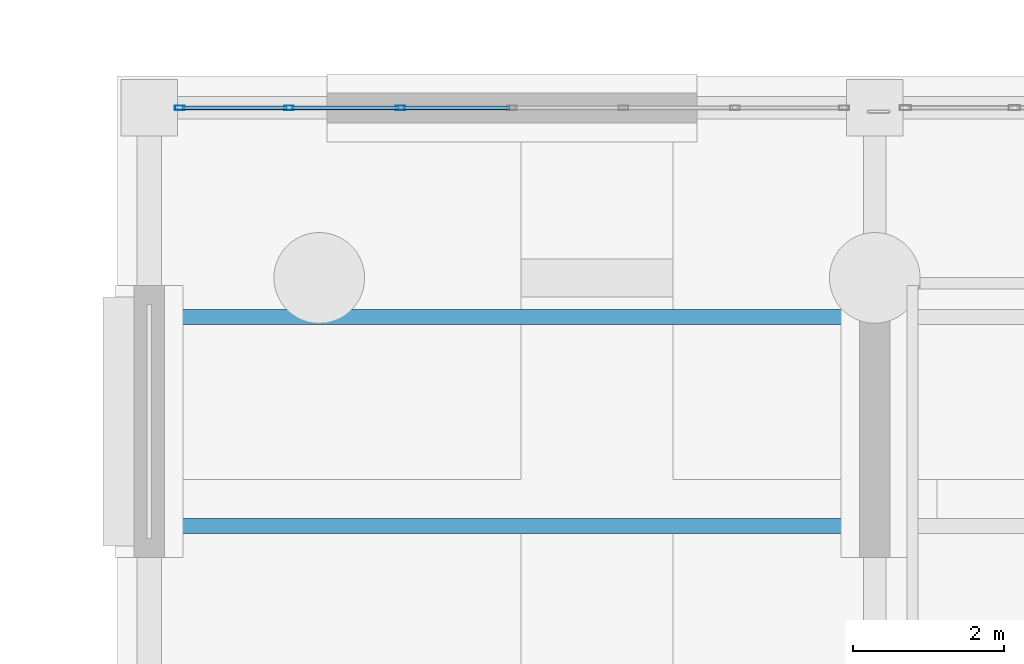
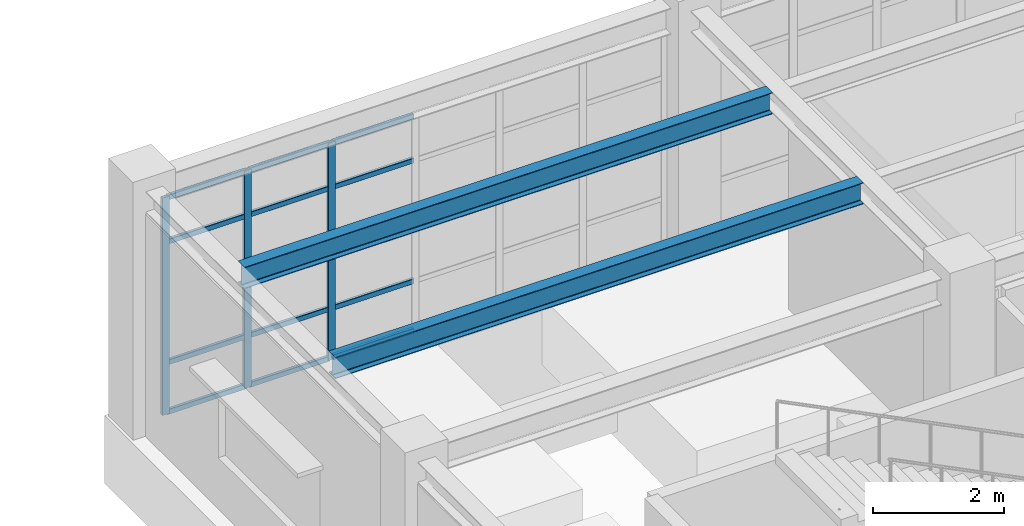
# One storey, part 48 of 111: 15 members, 2 beams, 1 element without a shape of its own.
"""IFC4 building model written with IfcOpenShell, lengths in metres."""

from ifc_helpers import new_model, si_unit, direction, frame, origin, origin_2d, place, context, subcontext, project, spatial, hollow_rectangle, i_section, extrude, material, material_profile, profile_set, type_object, element, aggregate, save


model = new_model("IFC4")

# Units and contexts
model_context = context("Model", 3, precision=1e-05, world=origin(), true_north=direction((0.0, 1.0)))
body_context = subcontext(model_context, "Body", "Model", "MODEL_VIEW")
ifc_project = project(units=[si_unit("LENGTHUNIT", "METRE"), si_unit("AREAUNIT", "SQUARE_METRE"), si_unit("VOLUMEUNIT", "CUBIC_METRE"), si_unit("PLANEANGLEUNIT", "RADIAN"), si_unit("MASSUNIT", "GRAM", prefix="KILO")], contexts=[model_context])

# Site, building, storey
site_placement = place(None, origin())
site = spatial("IfcSite", under=ifc_project, at=site_placement, CompositionType="ELEMENT")
building_placement = place(site_placement, origin())
building = spatial("IfcBuilding", under=site, at=building_placement, Name="Canglan Escarpment Cableway Terminal", CompositionType="ELEMENT")
storey_placement = place(building_placement, frame((0.0, 0.0, 4.800048828125)))
storey = spatial("IfcBuildingStorey", under=building, at=storey_placement, Name="L01", CompositionType="ELEMENT", Elevation=4.800048828125)

# Curtain wall, members
ifc_material_1 = material(Name="Anodized bronze aluminium and Low-E double glazing", Category="aluminium")
curtain_wall_type = type_object("IfcCurtainWallType", Name="CW-BAY-8850x4050", PredefinedType="NOTDEFINED", material=ifc_material_1)
curtain_wall_placement = place(storey_placement, origin())
curtain_wall = element("IfcCurtainWall", 1, at=curtain_wall_placement, inside=storey, type_object=curtain_wall_type, Name="Classical bay-between-piers glazed curtain wall CW-25", PredefinedType="NOTDEFINED")
ifc_material_2 = material(Name="Thermally broken anodized aluminium 6063-T6", Category="aluminium")
ifc_material_profile_1 = material_profile(ifc_material_2, hollow_rectangle(XDim=0.06005859375, YDim=0.1298828125, WallThickness=0.0029296875, InnerFilletRadius=0.0029296875, OuterFilletRadius=0.006103515625, at=origin_2d()), Name="ALU-MULL 60x130x3")
ifc_profile_set_1 = profile_set([ifc_material_profile_1], Name="Thermally broken anodized aluminium 6063-T6")
member_type_1 = type_object("IfcMemberType", Name="CWM-01", PredefinedType="MULLION", material=ifc_profile_set_1)
member_1_placement = place(storey_placement, frame((150.52490234375, 33.10009765625, 0.0), z_axis=(0.0, 0.0, 1.0), x_axis=(0.0, -1.0, 0.0)))
member_1 = element("IfcMember", 2, at=member_1_placement, type_object=member_type_1, Name="CW-25 mullion 5", PredefinedType="MULLION", context=body_context, shape_type="SweptSolid", body=[
    extrude(hollow_rectangle(XDim=0.06005859375, YDim=0.1298828125, WallThickness=0.0029296875, InnerFilletRadius=0.0029296875, OuterFilletRadius=0.006103515625, at=origin_2d()), origin(), (0.0, 0.0, 1.0), 4.046875),
])
member_2_placement = place(storey_placement, frame((149.050048828125, 33.10009765625, 0.0), z_axis=(0.0, 0.0, 1.0), x_axis=(0.0, -1.0, 0.0)))
member_2 = element("IfcMember", 3, at=member_2_placement, type_object=member_type_1, Name="CW-25 mullion 6", PredefinedType="MULLION", context=body_context, shape_type="SweptSolid", body=[
    extrude(hollow_rectangle(XDim=0.06005859375, YDim=0.1298828125, WallThickness=0.0029296875, InnerFilletRadius=0.0029296875, OuterFilletRadius=0.006103515625, at=origin_2d()), origin(), (0.0, 0.0, 1.0), 4.046875),
])
member_3_placement = place(storey_placement, frame((147.60498046875, 33.10009765625, 0.0), z_axis=(0.0, 0.0, 1.0), x_axis=(0.0, -1.0, 0.0)))
member_3 = element("IfcMember", 4, at=member_3_placement, type_object=member_type_1, Name="CW-25 mullion 7", PredefinedType="MULLION", context=body_context, shape_type="SweptSolid", body=[
    extrude(hollow_rectangle(XDim=0.06005859375, YDim=0.1298828125, WallThickness=0.0029296875, InnerFilletRadius=0.0029296875, OuterFilletRadius=0.006103515625, at=origin_2d()), origin(), (0.0, 0.0, 1.0), 4.046875),
])
ifc_material_profile_2 = material_profile(ifc_material_2, hollow_rectangle(XDim=0.054931640625, YDim=0.094970703125, WallThickness=0.0029296875, InnerFilletRadius=0.0029296875, OuterFilletRadius=0.006103515625, at=origin_2d()), Name="ALU-TRAN 55x95x3")
ifc_profile_set_2 = profile_set([ifc_material_profile_2], Name="Thermally broken anodized aluminium 6063-T6")
member_type_2 = type_object("IfcMemberType", Name="CWT-01", PredefinedType="USERDEFINED", material=ifc_profile_set_2)
member_4_placement = place(storey_placement, frame((151.969970703125, 33.10009765625, 0.02734375), z_axis=(-1.0, 0.0, 0.0), x_axis=(0.0, -1.0, 0.0)))
member_4 = element("IfcMember", 5, at=member_4_placement, type_object=member_type_2, Name="CW-25 transom 4.1", ObjectType="TRANSOM", PredefinedType="USERDEFINED", context=body_context, shape_type="SweptSolid", body=[
    extrude(hollow_rectangle(XDim=0.054931640625, YDim=0.094970703125, WallThickness=0.0029296875, InnerFilletRadius=0.0029296875, OuterFilletRadius=0.006103515625, at=origin_2d()), origin(), (0.0, 0.0, 1.0), 1.4150390625),
])
member_5_placement = place(storey_placement, frame((151.969970703125, 33.10009765625, 0.949951171875), z_axis=(-1.0, 0.0, 0.0), x_axis=(0.0, -1.0, 0.0)))
member_5 = element("IfcMember", 6, at=member_5_placement, type_object=member_type_2, Name="CW-25 transom 4.2", ObjectType="TRANSOM", PredefinedType="USERDEFINED", context=body_context, shape_type="SweptSolid", body=[
    extrude(hollow_rectangle(XDim=0.054931640625, YDim=0.094970703125, WallThickness=0.0029296875, InnerFilletRadius=0.0029296875, OuterFilletRadius=0.006103515625, at=origin_2d()), origin(), (0.0, 0.0, 1.0), 1.4150390625),
])
member_6_placement = place(storey_placement, frame((151.969970703125, 33.10009765625, 3.197021484375), z_axis=(-1.0, 0.0, 0.0), x_axis=(0.0, -1.0, 0.0)))
member_6 = element("IfcMember", 7, at=member_6_placement, type_object=member_type_2, Name="CW-25 transom 4.3", ObjectType="TRANSOM", PredefinedType="USERDEFINED", context=body_context, shape_type="SweptSolid", body=[
    extrude(hollow_rectangle(XDim=0.054931640625, YDim=0.094970703125, WallThickness=0.0029296875, InnerFilletRadius=0.0029296875, OuterFilletRadius=0.006103515625, at=origin_2d()), origin(), (0.0, 0.0, 1.0), 1.4150390625),
])
member_7_placement = place(storey_placement, frame((151.969970703125, 33.10009765625, 4.01953125), z_axis=(-1.0, 0.0, 0.0), x_axis=(0.0, -1.0, 0.0)))
member_7 = element("IfcMember", 8, at=member_7_placement, type_object=member_type_2, Name="CW-25 transom 4.4", ObjectType="TRANSOM", PredefinedType="USERDEFINED", context=body_context, shape_type="SweptSolid", body=[
    extrude(hollow_rectangle(XDim=0.054931640625, YDim=0.094970703125, WallThickness=0.0029296875, InnerFilletRadius=0.0029296875, OuterFilletRadius=0.006103515625, at=origin_2d()), origin(), (0.0, 0.0, 1.0), 1.4150390625),
])
member_8_placement = place(storey_placement, frame((150.4951171875, 33.10009765625, 0.02734375), z_axis=(-1.0, 0.0, 0.0), x_axis=(0.0, -1.0, 0.0)))
member_8 = element("IfcMember", 9, at=member_8_placement, type_object=member_type_2, Name="CW-25 transom 5.1", ObjectType="TRANSOM", PredefinedType="USERDEFINED", context=body_context, shape_type="SweptSolid", body=[
    extrude(hollow_rectangle(XDim=0.054931640625, YDim=0.094970703125, WallThickness=0.0029296875, InnerFilletRadius=0.0029296875, OuterFilletRadius=0.006103515625, at=origin_2d()), origin(), (0.0, 0.0, 1.0), 1.4150390625),
])
member_9_placement = place(storey_placement, frame((150.4951171875, 33.10009765625, 0.949951171875), z_axis=(-1.0, 0.0, 0.0), x_axis=(0.0, -1.0, 0.0)))
member_9 = element("IfcMember", 10, at=member_9_placement, type_object=member_type_2, Name="CW-25 transom 5.2", ObjectType="TRANSOM", PredefinedType="USERDEFINED", context=body_context, shape_type="SweptSolid", body=[
    extrude(hollow_rectangle(XDim=0.054931640625, YDim=0.094970703125, WallThickness=0.0029296875, InnerFilletRadius=0.0029296875, OuterFilletRadius=0.006103515625, at=origin_2d()), origin(), (0.0, 0.0, 1.0), 1.4150390625),
])
member_10_placement = place(storey_placement, frame((150.4951171875, 33.10009765625, 3.197021484375), z_axis=(-1.0, 0.0, 0.0), x_axis=(0.0, -1.0, 0.0)))
member_10 = element("IfcMember", 11, at=member_10_placement, type_object=member_type_2, Name="CW-25 transom 5.3", ObjectType="TRANSOM", PredefinedType="USERDEFINED", context=body_context, shape_type="SweptSolid", body=[
    extrude(hollow_rectangle(XDim=0.054931640625, YDim=0.094970703125, WallThickness=0.0029296875, InnerFilletRadius=0.0029296875, OuterFilletRadius=0.006103515625, at=origin_2d()), origin(), (0.0, 0.0, 1.0), 1.4150390625),
])
member_11_placement = place(storey_placement, frame((150.4951171875, 33.10009765625, 4.01953125), z_axis=(-1.0, 0.0, 0.0), x_axis=(0.0, -1.0, 0.0)))
member_11 = element("IfcMember", 12, at=member_11_placement, type_object=member_type_2, Name="CW-25 transom 5.4", ObjectType="TRANSOM", PredefinedType="USERDEFINED", context=body_context, shape_type="SweptSolid", body=[
    extrude(hollow_rectangle(XDim=0.054931640625, YDim=0.094970703125, WallThickness=0.0029296875, InnerFilletRadius=0.0029296875, OuterFilletRadius=0.006103515625, at=origin_2d()), origin(), (0.0, 0.0, 1.0), 1.4150390625),
])
member_12_placement = place(storey_placement, frame((149.02001953125, 33.10009765625, 0.02734375), z_axis=(-1.0, 0.0, 0.0), x_axis=(0.0, -1.0, 0.0)))
member_12 = element("IfcMember", 13, at=member_12_placement, type_object=member_type_2, Name="CW-25 transom 6.1", ObjectType="TRANSOM", PredefinedType="USERDEFINED", context=body_context, shape_type="SweptSolid", body=[
    extrude(hollow_rectangle(XDim=0.054931640625, YDim=0.094970703125, WallThickness=0.0029296875, InnerFilletRadius=0.0029296875, OuterFilletRadius=0.006103515625, at=origin_2d()), origin(), (0.0, 0.0, 1.0), 1.385009765625),
])
member_13_placement = place(storey_placement, frame((149.02001953125, 33.10009765625, 0.949951171875), z_axis=(-1.0, 0.0, 0.0), x_axis=(0.0, -1.0, 0.0)))
member_13 = element("IfcMember", 14, at=member_13_placement, type_object=member_type_2, Name="CW-25 transom 6.2", ObjectType="TRANSOM", PredefinedType="USERDEFINED", context=body_context, shape_type="SweptSolid", body=[
    extrude(hollow_rectangle(XDim=0.054931640625, YDim=0.094970703125, WallThickness=0.0029296875, InnerFilletRadius=0.0029296875, OuterFilletRadius=0.006103515625, at=origin_2d()), origin(), (0.0, 0.0, 1.0), 1.385009765625),
])
member_14_placement = place(storey_placement, frame((149.02001953125, 33.10009765625, 3.197021484375), z_axis=(-1.0, 0.0, 0.0), x_axis=(0.0, -1.0, 0.0)))
member_14 = element("IfcMember", 15, at=member_14_placement, type_object=member_type_2, Name="CW-25 transom 6.3", ObjectType="TRANSOM", PredefinedType="USERDEFINED", context=body_context, shape_type="SweptSolid", body=[
    extrude(hollow_rectangle(XDim=0.054931640625, YDim=0.094970703125, WallThickness=0.0029296875, InnerFilletRadius=0.0029296875, OuterFilletRadius=0.006103515625, at=origin_2d()), origin(), (0.0, 0.0, 1.0), 1.385009765625),
])
member_15_placement = place(storey_placement, frame((149.02001953125, 33.10009765625, 4.01953125), z_axis=(-1.0, 0.0, 0.0), x_axis=(0.0, -1.0, 0.0)))
member_15 = element("IfcMember", 16, at=member_15_placement, type_object=member_type_2, Name="CW-25 transom 6.4", ObjectType="TRANSOM", PredefinedType="USERDEFINED", context=body_context, shape_type="SweptSolid", body=[
    extrude(hollow_rectangle(XDim=0.054931640625, YDim=0.094970703125, WallThickness=0.0029296875, InnerFilletRadius=0.0029296875, OuterFilletRadius=0.006103515625, at=origin_2d()), origin(), (0.0, 0.0, 1.0), 1.385009765625),
])
aggregate(curtain_wall, [member_1, member_2, member_3, member_4, member_5, member_6, member_7, member_8, member_9, member_10, member_11, member_12, member_13, member_14, member_15])

# Beams
ifc_material_3 = material(Name="Steel Q355B", Category="steel")
ifc_material_profile_3 = material_profile(ifc_material_3, i_section(OverallWidth=0.199951171875, OverallDepth=0.39990234375, WebThickness=0.008056640625, FlangeThickness=0.012939453125, FilletRadius=0.01611328125, at=origin_2d()), Name="HN 400x200x8x13")
ifc_profile_set_3 = profile_set([ifc_material_profile_3], Name="Steel Q355B")
beam_type = type_object("IfcBeamType", Name="JS-HN400", PredefinedType="JOIST", material=ifc_profile_set_3)
for number, where, z_axis, x_axis, name in (
    (17, (147.35009765625, 27.566650390625, 4.349853515625), (1.0, 0.0, 0.0), (0.0, 1.0, 0.0), "Secondary composite deck joist J-03"),
    (18, (147.35009765625, 30.333251953125, 4.349853515625), (1.0, 0.0, 0.0), (0.0, 1.0, 0.0), "Secondary composite deck joist J-03"),
):
    element("IfcBeam", number, at=place(storey_placement, frame(where, z_axis=z_axis, x_axis=x_axis)), inside=storey, type_object=beam_type, Name=name, PredefinedType="JOIST", context=body_context, shape_type="SweptSolid", body=[
        extrude(i_section(OverallWidth=0.199951171875, OverallDepth=0.39990234375, WebThickness=0.008056640625, FlangeThickness=0.012939453125, FilletRadius=0.01611328125, at=origin_2d()), origin(), (0.0, 0.0, 1.0), 9.2998046875),
    ])

save(model, "model.ifc")
